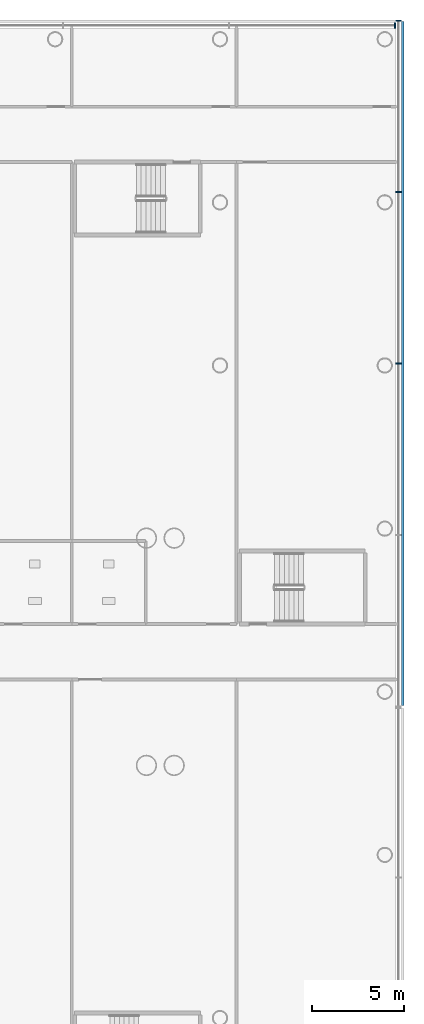
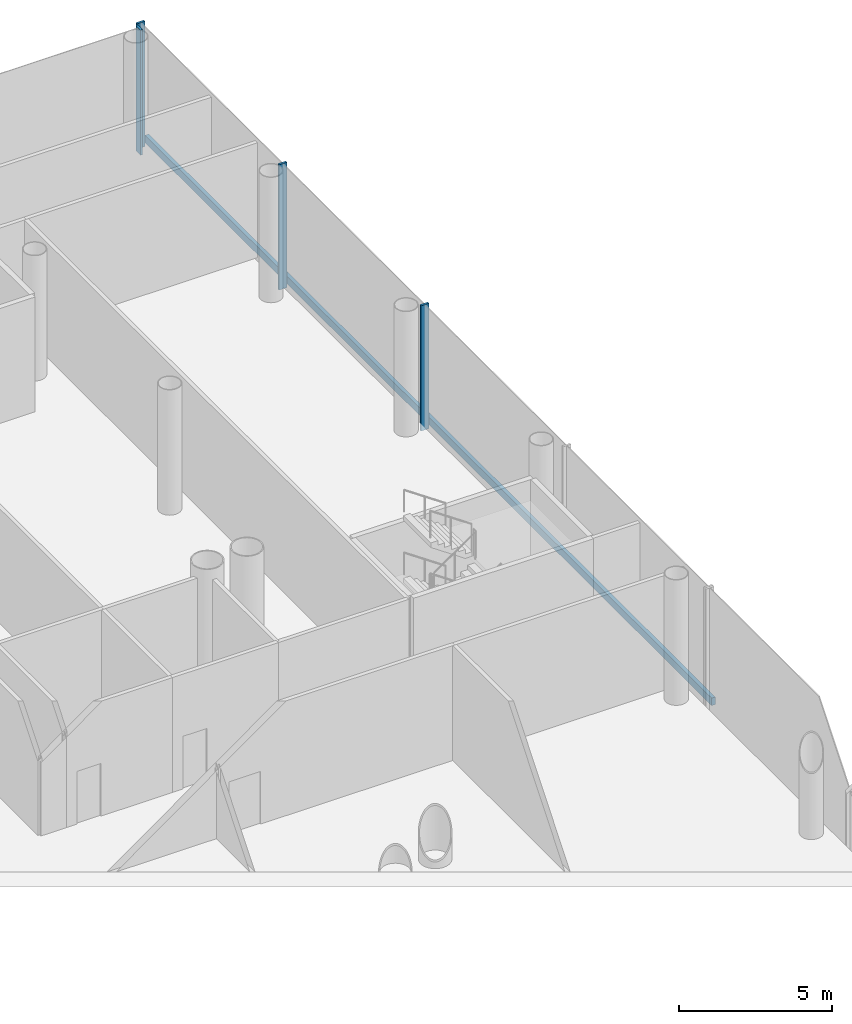
# One storey, part 14 of 59: 5 members, 2 elements without a shape of their own.
"""IFC4 building model written with IfcOpenShell, lengths in metres."""

from ifc_helpers import new_model, si_unit, direction, frame, origin, origin_2d, place, context, subcontext, project, spatial, rectangle, extrude, material, layer, layer_set, material_profile, profile_set, type_object, element, aggregate, save


model = new_model("IFC4")

# Units and contexts
model_context = context("Model", 3, precision=1e-05, world=origin(), true_north=direction((0.0, 1.0)))
body_context = subcontext(model_context, "Body", "Model", "MODEL_VIEW")
ifc_project = project(units=[si_unit("LENGTHUNIT", "METRE"), si_unit("AREAUNIT", "SQUARE_METRE"), si_unit("VOLUMEUNIT", "CUBIC_METRE"), si_unit("PLANEANGLEUNIT", "RADIAN"), si_unit("MASSUNIT", "GRAM", prefix="KILO")], contexts=[model_context])

# Site, building, storey
site_placement = place(None, origin())
site = spatial("IfcSite", under=ifc_project, at=site_placement, CompositionType="ELEMENT")
building_placement = place(site_placement, origin())
building = spatial("IfcBuilding", under=site, at=building_placement, Name="Ipe Terrace Towers", CompositionType="ELEMENT")
storey_placement = place(building_placement, frame((0.0, 0.0, 6.0)))
storey = spatial("IfcBuildingStorey", under=building, at=storey_placement, Name="L01", CompositionType="ELEMENT", Elevation=6.0)

# Curtain wall, members
ifc_material_1 = material(Name="Aluminium alloy 6063-T6", Category="aluminium")
ifc_layer = layer(ifc_material_1, 0.43994140625)
ifc_layer_set = layer_set([ifc_layer], Name="PODIUM GLAZING CURTAIN WALL")
curtain_wall_type = type_object("IfcCurtainWallType", Name="PODIUM GLAZING CURTAIN WALL", PredefinedType="NOTDEFINED", material=ifc_layer_set)
curtain_wall_1_placement = place(storey_placement, origin())
curtain_wall_1 = element("IfcCurtainWall", 1, at=curtain_wall_1_placement, inside=storey, type_object=curtain_wall_type, Name="POD-CW-L01-00b curtain wall", PredefinedType="NOTDEFINED")
ifc_material_2 = material(Name="Aluminium alloy 6063-T6", Category="aluminium")
ifc_material_profile_1 = material_profile(ifc_material_2, rectangle(XDim=0.300048828125, YDim=0.080078125, at=origin_2d()), Name="PODIUM GLAZING MULLION 300 x 80")
ifc_profile_set_1 = profile_set([ifc_material_profile_1], Name="Aluminium alloy 6063-T6")
member_type_1 = type_object("IfcMemberType", Name="PODIUM GLAZING MULLION 300 x 80", PredefinedType="MULLION", material=ifc_profile_set_1)
member_1_placement = place(storey_placement, frame((65.39990234375, 15.594970703125, -0.300048828125), z_axis=(0.0, 0.0, 1.0), x_axis=(1.0, 0.0, 0.0)))
member_1 = element("IfcMember", 2, at=member_1_placement, type_object=member_type_1, Name="POD-CW-L01-00b mullion 3", PredefinedType="MULLION", context=body_context, shape_type="SweptSolid", body=[
    extrude(rectangle(XDim=0.300048828125, YDim=0.080078125, at=origin_2d()), origin(), (0.0, 0.0, 1.0), 5.0),
])
member_2_placement = place(storey_placement, frame((65.39990234375, 24.87255859375, -0.300048828125), z_axis=(0.0, 0.0, 1.0), x_axis=(1.0, 0.0, 0.0)))
member_2 = element("IfcMember", 3, at=member_2_placement, type_object=member_type_1, Name="POD-CW-L01-00b mullion 4", PredefinedType="MULLION", context=body_context, shape_type="SweptSolid", body=[
    extrude(rectangle(XDim=0.300048828125, YDim=0.080078125, at=origin_2d()), origin(), (0.0, 0.0, 1.0), 5.0),
])
member_3_placement = place(storey_placement, frame((65.39990234375, 34.14990234375, -0.300048828125), z_axis=(0.0, 0.0, 1.0), x_axis=(1.0, 0.0, 0.0)))
member_3 = element("IfcMember", 4, at=member_3_placement, type_object=member_type_1, Name="POD-CW-L01-00b mullion 5", PredefinedType="MULLION", context=body_context, shape_type="SweptSolid", body=[
    extrude(rectangle(XDim=0.300048828125, YDim=0.080078125, at=origin_2d()), origin(), (0.0, 0.0, 1.0), 5.0),
])

# Curtain wall, member
curtain_wall_2_placement = place(storey_placement, origin())
curtain_wall_2 = element("IfcCurtainWall", 5, at=curtain_wall_2_placement, inside=storey, type_object=curtain_wall_type, Name="POD-CW-L01-01a curtain wall", PredefinedType="NOTDEFINED")
member_4_placement = place(storey_placement, frame((65.2099609375, 33.89990234375, -0.300048828125), z_axis=(0.0, 0.0, 1.0), x_axis=(0.0, 1.0, 0.0)))
member_4 = element("IfcMember", 6, at=member_4_placement, type_object=member_type_1, Name="POD-CW-L01-01a mullion 1", PredefinedType="MULLION", context=body_context, shape_type="SweptSolid", body=[
    extrude(rectangle(XDim=0.300048828125, YDim=0.080078125, at=origin_2d()), origin(), (0.0, 0.0, 1.0), 5.0),
])
aggregate(curtain_wall_2, [member_4])

# Member
ifc_material_3 = material(Name="Aluminium alloy 6063-T6", Category="aluminium")
ifc_material_profile_2 = material_profile(ifc_material_3, rectangle(XDim=0.139892578125, YDim=0.300048828125, at=origin_2d()), Name="PODIUM GLAZING TRANSOM 140 x 300")
ifc_profile_set_2 = profile_set([ifc_material_profile_2], Name="Aluminium alloy 6063-T6")
member_type_2 = type_object("IfcMemberType", Name="PODIUM GLAZING TRANSOM 140 x 300", PredefinedType="USERDEFINED", material=ifc_profile_set_2)
member_5_placement = place(storey_placement, frame((65.6201171875, -2.919921875, 0.0), z_axis=(0.0, 1.0, 0.0), x_axis=(1.0, 0.0, 0.0)))
member_5 = element("IfcMember", 7, at=member_5_placement, type_object=member_type_2, Name="POD-CW-L01-00b transom", ObjectType="TRANSOM", PredefinedType="USERDEFINED", context=body_context, shape_type="SweptSolid", body=[
    extrude(rectangle(XDim=0.139892578125, YDim=0.300048828125, at=origin_2d()), origin(), (0.0, 0.0, 1.0), 37.030029296875),
])

aggregate(curtain_wall_1, [member_1, member_2, member_3, member_5])

save(model, "model.ifc")
